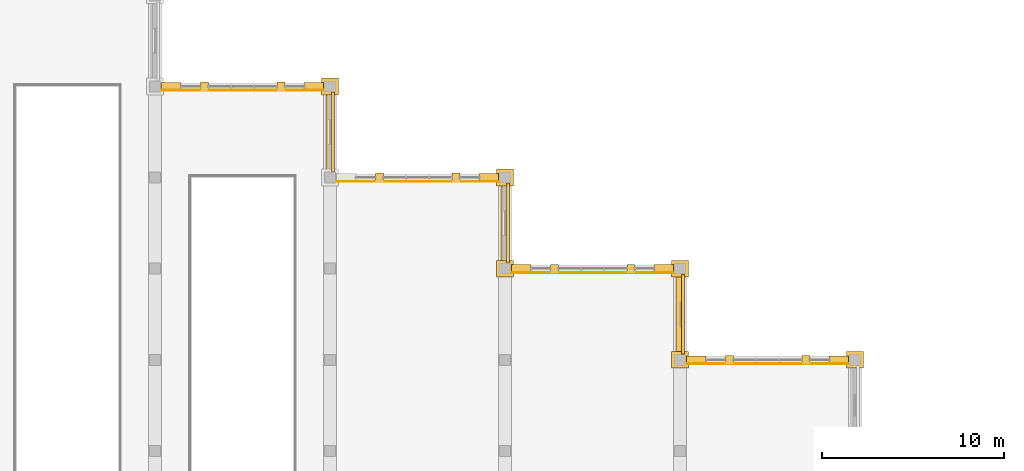
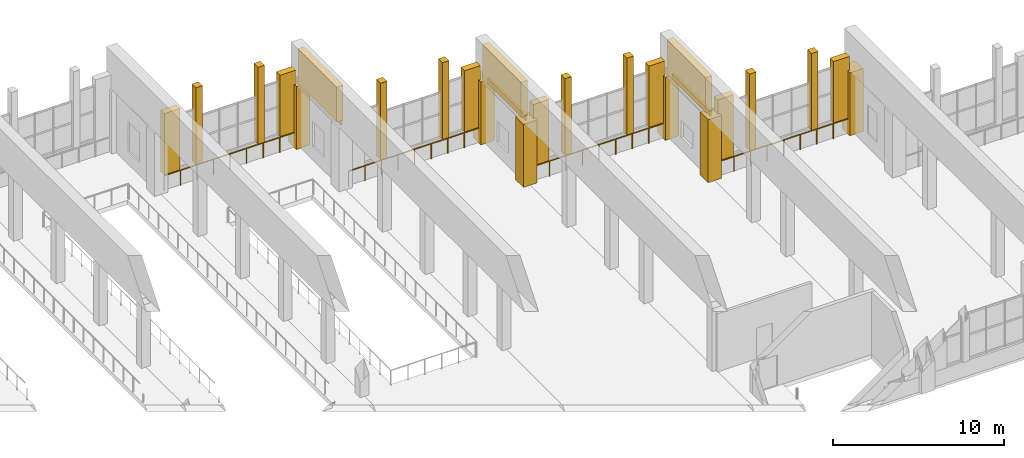
# One storey, part 46 of 46: 27 coverings, 4 railings.
"""IFC4 building model written with IfcOpenShell, lengths in metres."""

import ifcopenshell
import ifcopenshell.guid

model = None  # the IFC model being written
_history = None  # IfcOwnerHistory: only IFC2X3 demands one
_inside = {}  # id of a spatial element -> (the spatial element, [elements in it])
_under = {}  # id of a project, library or spatial element -> (it, [spatial elements below it])
_declared = {}  # id of a project -> (the project, [libraries it declares])
_typed = {}  # id of a type object -> (the type object, [elements of that type])
_made_of = {}  # id of a material, layer set ... -> (it, [elements and type objects made of it])


def new_model(schema):
    """Start an empty IFC model of exactly this schema.

    Asked for "IFC4X3", IfcOpenShell would pick the latest addendum, in which some entities
    have other attributes; the version numbers below select the first issue.
    IFC2X3 requires an IfcOwnerHistory on every rooted entity: one is made here for all.
    """
    global model, _history
    if schema == "IFC4X3":
        model = ifcopenshell.file(schema_version=(4, 3, 0, 0))
    else:
        model = ifcopenshell.file(schema=schema)
    _inside.clear()
    _under.clear()
    _declared.clear()
    _typed.clear()
    _made_of.clear()
    _history = None
    if model.schema == "IFC2X3":
        org = make("IfcOrganization", Name="unknown")
        user = make(
            "IfcPersonAndOrganization",
            ThePerson=make("IfcPerson", FamilyName="unknown"),
            TheOrganization=org,
        )
        app = make(
            "IfcApplication",
            ApplicationDeveloper=org,
            Version="unknown",
            ApplicationFullName="unknown",
            ApplicationIdentifier="unknown",
        )
        _history = make(
            "IfcOwnerHistory",
            OwningUser=user,
            OwningApplication=app,
            ChangeAction="ADDED",
            CreationDate=0,
        )
    return model


def make(cls, **values):
    """One entity of the class cls with the attributes given. An attribute that is None is left unset."""
    return model.create_entity(
        cls, **{name: value for name, value in values.items() if value is not None}
    )


def rooted(cls, **values):
    """An entity with a GlobalId (a new one), such as an element, a storey or a relation."""
    return make(cls, GlobalId=ifcopenshell.guid.new(), OwnerHistory=_history, **values)


def si_unit(unit_type, name, prefix=None):
    """IfcSIUnit, for example si_unit("LENGTHUNIT", "METRE", prefix="MILLI")."""
    return make("IfcSIUnit", UnitType=unit_type, Prefix=prefix, Name=name)


def assignment(units):
    """IfcUnitAssignment: the units of a project."""
    return None if units is None else make("IfcUnitAssignment", Units=units)


def point(xyz):
    """IfcCartesianPoint."""
    return None if xyz is None else make("IfcCartesianPoint", Coordinates=xyz)


def direction(xyz):
    """IfcDirection."""
    return None if xyz is None else make("IfcDirection", DirectionRatios=xyz)


def frame(location, z_axis=None, x_axis=None):
    """IfcAxis2Placement3D, a coordinate frame: its origin and axes. An axis left out is left unset."""
    return make(
        "IfcAxis2Placement3D",
        Location=point(location),
        Axis=direction(z_axis),
        RefDirection=direction(x_axis),
    )


def frame_2d(location, x_axis=None):
    """IfcAxis2Placement2D, a coordinate frame in the plane: its origin and x axis."""
    return make(
        "IfcAxis2Placement2D", Location=point(location), RefDirection=direction(x_axis)
    )


def origin():
    """The frame at (0, 0, 0) with its axes left unset."""
    return frame((0.0, 0.0, 0.0))


def origin_2d():
    """The frame at (0, 0) in the plane with its x axis left unset."""
    return frame_2d((0.0, 0.0))


def place(relative_to, where):
    """IfcLocalPlacement: puts the frame where relative to a parent placement (None: the world)."""
    return make(
        "IfcLocalPlacement", PlacementRelTo=relative_to, RelativePlacement=where
    )


def context(
    kind, dimensions, precision=None, world=None, true_north=None, identifier=None
):
    """IfcGeometricRepresentationContext, for example the 3D "Model" context."""
    return make(
        "IfcGeometricRepresentationContext",
        ContextIdentifier=identifier,
        ContextType=kind,
        CoordinateSpaceDimension=dimensions,
        Precision=precision,
        WorldCoordinateSystem=world,
        TrueNorth=true_north,
    )


def subcontext(parent, identifier, kind, view, scale=None):
    """IfcGeometricRepresentationSubContext, for example "Body" below "Model"."""
    return make(
        "IfcGeometricRepresentationSubContext",
        ContextIdentifier=identifier,
        ContextType=kind,
        ParentContext=parent,
        TargetScale=scale,
        TargetView=view,
    )


def project(units=None, contexts=None):
    """IfcProject with its units and contexts."""
    return rooted(
        "IfcProject",
        Name="project",
        RepresentationContexts=contexts,
        UnitsInContext=assignment(units),
    )


def spatial(cls, under=None, at=None, **own):
    """A site, building, storey or space (cls), placed at a placement, below another one or the project."""
    s = rooted(cls, ObjectPlacement=at, **own)
    if under is not None:
        _under.setdefault(under.id(), (under, []))[1].append(s)
    return s


def polyline(points):
    """IfcPolyline through the points."""
    return make("IfcPolyline", Points=[point(p) for p in points])


def profile(cls, at=None, kind="AREA", **sizes):
    """A parametric profile (cls). Its sizes go by their IFC names, for example OverallWidth=200.0."""
    return make(cls, ProfileType=kind, Position=at, **sizes)


def circle(**sizes):
    """IfcCircleProfileDef."""
    return profile("IfcCircleProfileDef", **sizes)


def outline(outer, holes=None, kind="AREA"):
    """IfcArbitraryClosedProfileDef: a profile drawn as a closed curve; with holes, ...WithVoids."""
    if holes is None:
        return make("IfcArbitraryClosedProfileDef", ProfileType=kind, OuterCurve=outer)
    return make(
        "IfcArbitraryProfileDefWithVoids",
        ProfileType=kind,
        OuterCurve=outer,
        InnerCurves=holes,
    )


def extrude(swept, where, along, depth):
    """IfcExtrudedAreaSolid: the profile swept, set in the frame where, extruded along a direction by depth."""
    return make(
        "IfcExtrudedAreaSolid",
        SweptArea=swept,
        Position=where,
        ExtrudedDirection=direction(along),
        Depth=depth,
    )


def shape(context_of_items, identifier, shape_type, items):
    """IfcShapeRepresentation: the items that make up one representation, for example the "Body"."""
    return make(
        "IfcShapeRepresentation",
        ContextOfItems=context_of_items,
        RepresentationIdentifier=identifier,
        RepresentationType=shape_type,
        Items=items,
    )


def material(Name=None, Category=None):
    """IfcMaterial."""
    return make("IfcMaterial", Name=Name, Category=Category)


def layer(
    of_material, thickness, ventilated=None, Name=None, Category=None, Priority=None
):
    """IfcMaterialLayer: one layer of a wall or slab, of a material (None: an air gap)."""
    return make(
        "IfcMaterialLayer",
        Material=of_material,
        LayerThickness=thickness,
        IsVentilated=ventilated,
        Name=Name,
        Category=Category,
        Priority=Priority,
    )


def layer_set(layers, Name=None):
    """IfcMaterialLayerSet."""
    return make("IfcMaterialLayerSet", MaterialLayers=layers, LayerSetName=Name)


def made_of(thing, what):
    """Note that an element or type object is made of a material, layer set ...; save() writes the relation."""
    if what is not None:
        _made_of.setdefault(what.id(), (what, []))[1].append(thing)
    return thing


def type_object(cls, material=None, **own):
    """A type object (cls), such as IfcWallType, which elements share."""
    return made_of(rooted(cls, **own), material)


def element(
    cls,
    number,
    at=None,
    inside=None,
    cuts=None,
    type_object=None,
    material=None,
    context=None,
    identifier="Body",
    shape_type=None,
    held_by="IfcProductDefinitionShape",
    body=None,
    shapes=None,
    **own,
):
    """One element of the class cls, such as IfcWall. Its Tag is "e" and its number.

    at: its placement. inside: the storey or other place that contains it. cuts: it is an
    opening in that element (IfcRelVoidsElement). A single representation is given by context,
    identifier, shape_type and body (its items); several are given by shapes. held_by: the class
    of the entity that holds the representations. save() writes the other relations.
    """
    e = rooted(cls, Tag="e%d" % number, ObjectPlacement=at, **own)
    if body is not None:
        shapes = [shape(context, identifier, shape_type, body)]
    if shapes is not None:
        e.Representation = make(held_by, Representations=shapes)
    if inside is not None:
        _inside.setdefault(inside.id(), (inside, []))[1].append(e)
    if cuts is not None:
        rooted(
            "IfcRelVoidsElement", RelatingBuildingElement=cuts, RelatedOpeningElement=e
        )
    if type_object is not None:
        _typed.setdefault(type_object.id(), (type_object, []))[1].append(e)
    return made_of(e, material)


def aggregate(whole, parts):
    """IfcRelAggregates: a whole, such as a stair, and the parts it consists of."""
    return rooted("IfcRelAggregates", RelatingObject=whole, RelatedObjects=parts)


def save(model, path):
    """Write the relations noted so far, then the file.

    IfcRelAggregates (storeys below a building ...), IfcRelContainedInSpatialStructure (elements
    in a storey), IfcRelDefinesByType, IfcRelAssociatesMaterial and IfcRelDeclares: one each for
    every whole, place, type object, material and project.
    """
    for whole, parts in _under.values():
        aggregate(whole, parts)
    for where, things in _inside.values():
        rooted(
            "IfcRelContainedInSpatialStructure",
            RelatedElements=things,
            RelatingStructure=where,
        )
    for kind, things in _typed.values():
        rooted("IfcRelDefinesByType", RelatedObjects=things, RelatingType=kind)
    for what, things in _made_of.values():
        rooted("IfcRelAssociatesMaterial", RelatedObjects=things, RelatingMaterial=what)
    for by, libraries in _declared.values():
        rooted("IfcRelDeclares", RelatingContext=by, RelatedDefinitions=libraries)
    model.write(path)


model = new_model("IFC4")

# Units and contexts
model_context = context("Model", 3, precision=1e-05, world=origin(), true_north=direction((0.0, 1.0)))
body_context = subcontext(model_context, "Body", "Model", "MODEL_VIEW")
ifc_project = project(units=[si_unit("LENGTHUNIT", "METRE"), si_unit("AREAUNIT", "SQUARE_METRE"), si_unit("VOLUMEUNIT", "CUBIC_METRE"), si_unit("PLANEANGLEUNIT", "RADIAN"), si_unit("MASSUNIT", "GRAM", prefix="KILO")], contexts=[model_context])

# Site, building, storey
site_placement = place(None, origin())
site = spatial("IfcSite", under=ifc_project, at=site_placement, CompositionType="ELEMENT")
building_placement = place(site_placement, origin())
building = spatial("IfcBuilding", under=site, at=building_placement, Name="Mavantir Sound Aquarium", CompositionType="ELEMENT")
storey_placement = place(building_placement, frame((0.0, 0.0, 15.300048828125)))
storey = spatial("IfcBuildingStorey", under=building, at=storey_placement, Name="L03", CompositionType="ELEMENT", Elevation=15.300048828125)

# Coverings
ifc_material_1 = material(Name="Honed Coral-Limestone & Glazed Terracotta Rainscreen Cladding", Category="masonry")
ifc_layer = layer(ifc_material_1, 0.06005859375, Name="Honed Coral-Limestone & Glazed Terracotta Rainscreen Cladding")
ifc_layer_set = layer_set([ifc_layer], Name="Honed Coral-Limestone & Glazed Terracotta Rainscreen Cladding")
covering_type = type_object("IfcCoveringType", Name="COV-CLAD-TC", PredefinedType="CLADDING", material=ifc_layer_set)
covering_1_placement = place(storey_placement, frame((0.0, 0.0, 4.10986328125)))
element("IfcCovering", 1, at=covering_1_placement, inside=storey, type_object=covering_type, Name="L03 Postmodern coral-limestone spandrel frieze 447", PredefinedType="CLADDING", context=body_context, shape_type="SweptSolid", body=[
    extrude(outline(polyline([(156.090087890625, 66.10791015625), (156.090087890625, 70.491943359375), (156.239990234375, 70.491943359375), (156.239990234375, 66.10791015625), (156.090087890625, 66.10791015625)])), origin(), (0.0, 0.0, 1.0), 0.39013671875),
])
covering_2_placement = place(storey_placement, frame((0.0, 0.0, 4.10986328125)))
element("IfcCovering", 2, at=covering_2_placement, inside=storey, type_object=covering_type, Name="L03 Postmodern coral-limestone spandrel frieze 448", PredefinedType="CLADDING", context=body_context, shape_type="SweptSolid", body=[
    extrude(outline(polyline([(146.489990234375, 71.10791015625), (146.489990234375, 75.491943359375), (146.639892578125, 75.491943359375), (146.639892578125, 71.10791015625), (146.489990234375, 71.10791015625)])), origin(), (0.0, 0.0, 1.0), 0.39013671875),
])
covering_3_placement = place(storey_placement, frame((0.0, 0.0, 4.10986328125)))
element("IfcCovering", 3, at=covering_3_placement, inside=storey, type_object=covering_type, Name="L03 Postmodern coral-limestone spandrel frieze 449", PredefinedType="CLADDING", context=body_context, shape_type="SweptSolid", body=[
    extrude(outline(polyline([(136.889892578125, 76.10791015625), (136.889892578125, 80.491943359375), (137.0400390625, 80.491943359375), (137.0400390625, 76.10791015625), (136.889892578125, 76.10791015625)])), origin(), (0.0, 0.0, 1.0), 0.39013671875),
])
covering_4_placement = place(storey_placement, origin())
element("IfcCovering", 4, at=covering_4_placement, inside=storey, type_object=covering_type, Name="L03 Postmodern coral-limestone pilaster casing 284", PredefinedType="CLADDING", context=body_context, shape_type="SweptSolid", body=[
    extrude(outline(polyline([(136.340087890625, 80.340087890625), (137.260009765625, 80.340087890625), (137.260009765625, 81.260009765625), (136.340087890625, 81.260009765625), (136.340087890625, 80.340087890625)])), origin(), (0.0, 0.0, 1.0), 4.5),
])
covering_5_placement = place(storey_placement, origin())
element("IfcCovering", 5, at=covering_5_placement, inside=storey, type_object=covering_type, Name="L03 Postmodern coral-limestone pilaster casing 292", PredefinedType="CLADDING", context=body_context, shape_type="SweptSolid", body=[
    extrude(outline(polyline([(145.93994140625, 70.340087890625), (146.860107421875, 70.340087890625), (146.860107421875, 71.260009765625), (145.93994140625, 71.260009765625), (145.93994140625, 70.340087890625)])), origin(), (0.0, 0.0, 1.0), 4.5),
])
covering_6_placement = place(storey_placement, origin())
element("IfcCovering", 6, at=covering_6_placement, inside=storey, type_object=covering_type, Name="L03 Postmodern coral-limestone pilaster casing 296", PredefinedType="CLADDING", context=body_context, shape_type="SweptSolid", body=[
    extrude(outline(polyline([(145.93994140625, 75.340087890625), (146.860107421875, 75.340087890625), (146.860107421875, 76.260009765625), (145.93994140625, 76.260009765625), (145.93994140625, 75.340087890625)])), origin(), (0.0, 0.0, 1.0), 4.5),
])
covering_7_placement = place(storey_placement, origin())
element("IfcCovering", 7, at=covering_7_placement, inside=storey, type_object=covering_type, Name="L03 Postmodern coral-limestone pilaster casing 304", PredefinedType="CLADDING", context=body_context, shape_type="SweptSolid", body=[
    extrude(outline(polyline([(155.5400390625, 65.340087890625), (156.4599609375, 65.340087890625), (156.4599609375, 66.260009765625), (155.5400390625, 66.260009765625), (155.5400390625, 65.340087890625)])), origin(), (0.0, 0.0, 1.0), 4.5),
])
covering_8_placement = place(storey_placement, origin())
element("IfcCovering", 8, at=covering_8_placement, inside=storey, type_object=covering_type, Name="L03 Postmodern coral-limestone pilaster casing 308", PredefinedType="CLADDING", context=body_context, shape_type="SweptSolid", body=[
    extrude(outline(polyline([(155.5400390625, 70.340087890625), (156.4599609375, 70.340087890625), (156.4599609375, 71.260009765625), (155.5400390625, 71.260009765625), (155.5400390625, 70.340087890625)])), origin(), (0.0, 0.0, 1.0), 4.5),
])
covering_9_placement = place(storey_placement, origin())
element("IfcCovering", 9, at=covering_9_placement, inside=storey, type_object=covering_type, Name="L03 Postmodern coral-limestone pilaster casing 320", PredefinedType="CLADDING", context=body_context, shape_type="SweptSolid", body=[
    extrude(outline(polyline([(165.139892578125, 65.340087890625), (166.06005859375, 65.340087890625), (166.06005859375, 66.260009765625), (165.139892578125, 66.260009765625), (165.139892578125, 65.340087890625)])), origin(), (0.0, 0.0, 1.0), 4.5),
])
covering_10_placement = place(storey_placement, frame((0.0, 0.0, 4.5)))
element("IfcCovering", 10, at=covering_10_placement, inside=storey, type_object=covering_type, Name="V4 scalloped ridge coral-limestone frieze CHK3.1", PredefinedType="CLADDING", context=body_context, shape_type="SweptSolid", body=[
    extrude(outline(polyline([(136.580078125, 76.030029296875), (137.02001953125, 76.030029296875), (137.02001953125, 80.570068359375), (136.580078125, 80.570068359375), (136.580078125, 76.030029296875)])), origin(), (0.0, 0.0, 1.0), 2.5),
])
covering_11_placement = place(storey_placement, frame((0.0, 0.0, 4.5)))
element("IfcCovering", 11, at=covering_11_placement, inside=storey, type_object=covering_type, Name="V4 scalloped ridge coral-limestone frieze CHK4.1", PredefinedType="CLADDING", context=body_context, shape_type="SweptSolid", body=[
    extrude(outline(polyline([(146.179931640625, 71.030029296875), (146.6201171875, 71.030029296875), (146.6201171875, 75.570068359375), (146.179931640625, 75.570068359375), (146.179931640625, 71.030029296875)])), origin(), (0.0, 0.0, 1.0), 2.5),
])
covering_12_placement = place(storey_placement, frame((0.0, 0.0, 4.5)))
element("IfcCovering", 12, at=covering_12_placement, inside=storey, type_object=covering_type, Name="V4 scalloped ridge coral-limestone frieze CHK5.1", PredefinedType="CLADDING", context=body_context, shape_type="SweptSolid", body=[
    extrude(outline(polyline([(155.780029296875, 66.030029296875), (156.219970703125, 66.030029296875), (156.219970703125, 70.570068359375), (155.780029296875, 70.570068359375), (155.780029296875, 66.030029296875)])), origin(), (0.0, 0.0, 1.0), 2.5),
])
covering_13_placement = place(storey_placement, frame((0.0, 0.0, 1.119873046875)))
element("IfcCovering", 13, at=covering_13_placement, inside=storey, type_object=covering_type, Name="Scalloped bay 3 N Diocletian stone mullion ML", PredefinedType="CLADDING", context=body_context, shape_type="SweptSolid", body=[
    extrude(outline(polyline([(129.679931640625, 80.56005859375), (130.1201171875, 80.56005859375), (130.1201171875, 81.0400390625), (129.679931640625, 81.0400390625), (129.679931640625, 80.56005859375)])), origin(), (0.0, 0.0, 1.0), 5.49072265625),
])
covering_14_placement = place(storey_placement, frame((0.0, 0.0, 1.119873046875)))
element("IfcCovering", 14, at=covering_14_placement, inside=storey, type_object=covering_type, Name="Scalloped bay 3 N Diocletian stone mullion MR", PredefinedType="CLADDING", context=body_context, shape_type="SweptSolid", body=[
    extrude(outline(polyline([(133.8798828125, 80.56005859375), (134.320068359375, 80.56005859375), (134.320068359375, 81.0400390625), (133.8798828125, 81.0400390625), (133.8798828125, 80.56005859375)])), origin(), (0.0, 0.0, 1.0), 5.49072265625),
])
covering_15_placement = place(storey_placement, frame((0.0, 0.0, 1.119873046875)))
element("IfcCovering", 15, at=covering_15_placement, inside=storey, type_object=covering_type, Name="Scalloped bay 3 N Diocletian haunch spandrel HL", PredefinedType="CLADDING", context=body_context, shape_type="SweptSolid", body=[
    extrude(outline(polyline([(127.550048828125, 80.580078125), (128.6201171875, 80.580078125), (128.6201171875, 81.02001953125), (127.550048828125, 81.02001953125), (127.550048828125, 80.580078125)])), origin(), (0.0, 0.0, 1.0), 4.379638671875),
])
covering_16_placement = place(storey_placement, frame((0.0, 0.0, 1.119873046875)))
element("IfcCovering", 16, at=covering_16_placement, inside=storey, type_object=covering_type, Name="Scalloped bay 3 N Diocletian haunch spandrel HR", PredefinedType="CLADDING", context=body_context, shape_type="SweptSolid", body=[
    extrude(outline(polyline([(135.3798828125, 80.580078125), (136.449951171875, 80.580078125), (136.449951171875, 81.02001953125), (135.3798828125, 81.02001953125), (135.3798828125, 80.580078125)])), origin(), (0.0, 0.0, 1.0), 4.379638671875),
])
covering_17_placement = place(storey_placement, frame((0.0, 0.0, 1.119873046875)))
element("IfcCovering", 17, at=covering_17_placement, inside=storey, type_object=covering_type, Name="Scalloped bay 4 N Diocletian stone mullion ML", PredefinedType="CLADDING", context=body_context, shape_type="SweptSolid", body=[
    extrude(outline(polyline([(139.280029296875, 75.56005859375), (139.719970703125, 75.56005859375), (139.719970703125, 76.0400390625), (139.280029296875, 76.0400390625), (139.280029296875, 75.56005859375)])), origin(), (0.0, 0.0, 1.0), 5.49072265625),
])
covering_18_placement = place(storey_placement, frame((0.0, 0.0, 1.119873046875)))
element("IfcCovering", 18, at=covering_18_placement, inside=storey, type_object=covering_type, Name="Scalloped bay 4 N Diocletian stone mullion MR", PredefinedType="CLADDING", context=body_context, shape_type="SweptSolid", body=[
    extrude(outline(polyline([(143.47998046875, 75.56005859375), (143.919921875, 75.56005859375), (143.919921875, 76.0400390625), (143.47998046875, 76.0400390625), (143.47998046875, 75.56005859375)])), origin(), (0.0, 0.0, 1.0), 5.49072265625),
])
covering_19_placement = place(storey_placement, frame((0.0, 0.0, 1.119873046875)))
element("IfcCovering", 19, at=covering_19_placement, inside=storey, type_object=covering_type, Name="Scalloped bay 4 N Diocletian haunch spandrel HR", PredefinedType="CLADDING", context=body_context, shape_type="SweptSolid", body=[
    extrude(outline(polyline([(144.97998046875, 75.580078125), (146.050048828125, 75.580078125), (146.050048828125, 76.02001953125), (144.97998046875, 76.02001953125), (144.97998046875, 75.580078125)])), origin(), (0.0, 0.0, 1.0), 4.379638671875),
])
covering_20_placement = place(storey_placement, frame((0.0, 0.0, 1.119873046875)))
element("IfcCovering", 20, at=covering_20_placement, inside=storey, type_object=covering_type, Name="Scalloped bay 5 N Diocletian stone mullion ML", PredefinedType="CLADDING", context=body_context, shape_type="SweptSolid", body=[
    extrude(outline(polyline([(148.8798828125, 70.56005859375), (149.320068359375, 70.56005859375), (149.320068359375, 71.0400390625), (148.8798828125, 71.0400390625), (148.8798828125, 70.56005859375)])), origin(), (0.0, 0.0, 1.0), 5.49072265625),
])
covering_21_placement = place(storey_placement, frame((0.0, 0.0, 1.119873046875)))
element("IfcCovering", 21, at=covering_21_placement, inside=storey, type_object=covering_type, Name="Scalloped bay 5 N Diocletian stone mullion MR", PredefinedType="CLADDING", context=body_context, shape_type="SweptSolid", body=[
    extrude(outline(polyline([(153.080078125, 70.56005859375), (153.52001953125, 70.56005859375), (153.52001953125, 71.0400390625), (153.080078125, 71.0400390625), (153.080078125, 70.56005859375)])), origin(), (0.0, 0.0, 1.0), 5.49072265625),
])
covering_22_placement = place(storey_placement, frame((0.0, 0.0, 1.119873046875)))
element("IfcCovering", 22, at=covering_22_placement, inside=storey, type_object=covering_type, Name="Scalloped bay 5 N Diocletian haunch spandrel HL", PredefinedType="CLADDING", context=body_context, shape_type="SweptSolid", body=[
    extrude(outline(polyline([(146.75, 70.580078125), (147.820068359375, 70.580078125), (147.820068359375, 71.02001953125), (146.75, 71.02001953125), (146.75, 70.580078125)])), origin(), (0.0, 0.0, 1.0), 4.379638671875),
])
covering_23_placement = place(storey_placement, frame((0.0, 0.0, 1.119873046875)))
element("IfcCovering", 23, at=covering_23_placement, inside=storey, type_object=covering_type, Name="Scalloped bay 5 N Diocletian haunch spandrel HR", PredefinedType="CLADDING", context=body_context, shape_type="SweptSolid", body=[
    extrude(outline(polyline([(154.580078125, 70.580078125), (155.64990234375, 70.580078125), (155.64990234375, 71.02001953125), (154.580078125, 71.02001953125), (154.580078125, 70.580078125)])), origin(), (0.0, 0.0, 1.0), 4.379638671875),
])
covering_24_placement = place(storey_placement, frame((0.0, 0.0, 1.119873046875)))
element("IfcCovering", 24, at=covering_24_placement, inside=storey, type_object=covering_type, Name="Scalloped bay 6 N Diocletian stone mullion ML", PredefinedType="CLADDING", context=body_context, shape_type="SweptSolid", body=[
    extrude(outline(polyline([(158.47998046875, 65.56005859375), (158.919921875, 65.56005859375), (158.919921875, 66.0400390625), (158.47998046875, 66.0400390625), (158.47998046875, 65.56005859375)])), origin(), (0.0, 0.0, 1.0), 5.49072265625),
])
covering_25_placement = place(storey_placement, frame((0.0, 0.0, 1.119873046875)))
element("IfcCovering", 25, at=covering_25_placement, inside=storey, type_object=covering_type, Name="Scalloped bay 6 N Diocletian stone mullion MR", PredefinedType="CLADDING", context=body_context, shape_type="SweptSolid", body=[
    extrude(outline(polyline([(162.679931640625, 65.56005859375), (163.1201171875, 65.56005859375), (163.1201171875, 66.0400390625), (162.679931640625, 66.0400390625), (162.679931640625, 65.56005859375)])), origin(), (0.0, 0.0, 1.0), 5.49072265625),
])
covering_26_placement = place(storey_placement, frame((0.0, 0.0, 1.119873046875)))
element("IfcCovering", 26, at=covering_26_placement, inside=storey, type_object=covering_type, Name="Scalloped bay 6 N Diocletian haunch spandrel HL", PredefinedType="CLADDING", context=body_context, shape_type="SweptSolid", body=[
    extrude(outline(polyline([(156.35009765625, 65.580078125), (157.419921875, 65.580078125), (157.419921875, 66.02001953125), (156.35009765625, 66.02001953125), (156.35009765625, 65.580078125)])), origin(), (0.0, 0.0, 1.0), 4.379638671875),
])
covering_27_placement = place(storey_placement, frame((0.0, 0.0, 1.119873046875)))
element("IfcCovering", 27, at=covering_27_placement, inside=storey, type_object=covering_type, Name="Scalloped bay 6 N Diocletian haunch spandrel HR", PredefinedType="CLADDING", context=body_context, shape_type="SweptSolid", body=[
    extrude(outline(polyline([(164.179931640625, 65.580078125), (165.25, 65.580078125), (165.25, 66.02001953125), (164.179931640625, 66.02001953125), (164.179931640625, 65.580078125)])), origin(), (0.0, 0.0, 1.0), 4.379638671875),
])

# Railings
ifc_material_2 = material(Name="Stainless Steel 316 and Laminated Glass Guardrail", Category="steel")
railing_type = type_object("IfcRailingType", Name="RL-GUARD-110", PredefinedType="GUARDRAIL", material=ifc_material_2)
for number, where, name in (
    (28, (127.52001953125, 80.580078125, 0.0), "L03 scalloped bay 3 N lunette gallery guardrail"),
    (29, (137.1201171875, 75.580078125, 0.0), "L03 scalloped bay 4 N lunette gallery guardrail"),
    (30, (146.719970703125, 70.580078125, 0.0), "L03 scalloped bay 5 N lunette gallery guardrail"),
    (31, (156.320068359375, 65.580078125, 0.0), "L03 scalloped bay 6 N lunette gallery guardrail"),
):
    element("IfcRailing", number, at=place(storey_placement, frame(where)), inside=storey, type_object=railing_type, Name=name, PredefinedType="GUARDRAIL", context=body_context, shape_type="SweptSolid", body=[
        extrude(circle(Radius=0.02392578125, at=origin_2d()), frame((0.0, 0.0, 1.076171875), z_axis=(1.0, 0.0, 0.0), x_axis=(0.0, 1.0, 0.0)), (0.0, 0.0, 1.0), 8.9599609375),
        extrude(circle(Radius=0.02099609375, at=origin_2d()), origin(), (0.0, 0.0, 1.0), 1.052001953125),
        extrude(circle(Radius=0.02099609375, at=origin_2d()), frame((1.1201171875, 0.0, 0.0)), (0.0, 0.0, 1.0), 1.052001953125),
        extrude(circle(Radius=0.02099609375, at=origin_2d()), frame((2.239990234375, 0.0, 0.0)), (0.0, 0.0, 1.0), 1.052001953125),
        extrude(circle(Radius=0.02099609375, at=origin_2d()), frame((3.35986328125, 0.0, 0.0)), (0.0, 0.0, 1.0), 1.052001953125),
        extrude(circle(Radius=0.02099609375, at=origin_2d()), frame((4.47998046875, 0.0, 0.0)), (0.0, 0.0, 1.0), 1.052001953125),
        extrude(circle(Radius=0.02099609375, at=origin_2d()), frame((5.60009765625, 0.0, 0.0)), (0.0, 0.0, 1.0), 1.052001953125),
        extrude(circle(Radius=0.02099609375, at=origin_2d()), frame((6.719970703125, 0.0, 0.0)), (0.0, 0.0, 1.0), 1.052001953125),
        extrude(circle(Radius=0.02099609375, at=origin_2d()), frame((7.83984375, 0.0, 0.0)), (0.0, 0.0, 1.0), 1.052001953125),
        extrude(circle(Radius=0.02099609375, at=origin_2d()), frame((8.9599609375, 0.0, 0.0)), (0.0, 0.0, 1.0), 1.052001953125),
    ])

save(model, "model.ifc")
